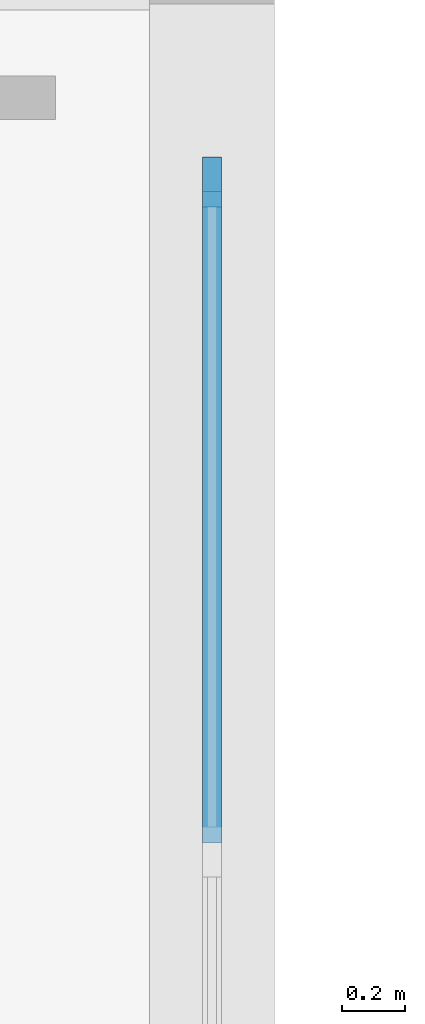
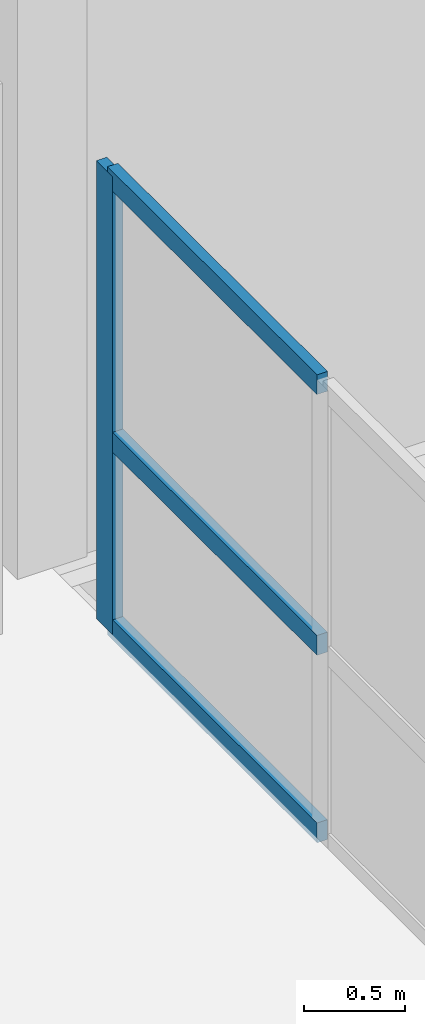
# One storey, part 16 of 51: 4 members, 1 element without a shape of its own.
"""IFC4 building model written with IfcOpenShell, lengths in metres."""

from ifc_helpers import new_model, si_unit, direction, frame, origin, origin_2d, place, context, subcontext, project, spatial, rectangle, extrude, material, material_profile, profile_set, type_object, element, aggregate, save


model = new_model("IFC4")

# Units and contexts
model_context = context("Model", 3, precision=1e-05, world=origin(), true_north=direction((0.0, 1.0)))
body_context = subcontext(model_context, "Body", "Model", "MODEL_VIEW")
ifc_project = project(units=[si_unit("LENGTHUNIT", "METRE"), si_unit("AREAUNIT", "SQUARE_METRE"), si_unit("VOLUMEUNIT", "CUBIC_METRE"), si_unit("PLANEANGLEUNIT", "RADIAN"), si_unit("MASSUNIT", "GRAM", prefix="KILO")], contexts=[model_context])

# Site, building, storey
site_placement = place(None, origin())
site = spatial("IfcSite", under=ifc_project, at=site_placement, CompositionType="ELEMENT")
building_placement = place(site_placement, origin())
building = spatial("IfcBuilding", under=site, at=building_placement, Name="Vharandega Faculty of Natural Sciences", CompositionType="ELEMENT")
storey_placement = place(building_placement, frame((0.0, 0.0, 18.0)))
storey = spatial("IfcBuildingStorey", under=building, at=storey_placement, Name="L04", CompositionType="ELEMENT", Elevation=18.0)

# Curtain wall, members
ifc_material_1 = material(Name="Aluminium and solar-control glass curtain wall", Category="aluminium")
curtain_wall_type = type_object("IfcCurtainWallType", Name="Unitised Curtain Wall System CW-11", PredefinedType="NOTDEFINED", material=ifc_material_1)
curtain_wall_placement = place(storey_placement, origin())
curtain_wall = element("IfcCurtainWall", 1, at=curtain_wall_placement, inside=storey, type_object=curtain_wall_type, Name="Curtain Wall CW-L04-178", PredefinedType="NOTDEFINED")
ifc_material_2 = material(Name="Thermally broken aluminium 6063-T6", Category="aluminium")
ifc_material_profile_1 = material_profile(ifc_material_2, rectangle(XDim=0.06005859375, YDim=0.159912109375, at=origin_2d()), Name="ALU 60x160")
ifc_profile_set_1 = profile_set([ifc_material_profile_1], Name="Thermally broken aluminium 6063-T6")
member_type_1 = type_object("IfcMemberType", Name="CW Mullion 60x160", PredefinedType="MULLION", material=ifc_profile_set_1)
member_1_placement = place(storey_placement, frame((48.0, 63.22998046875, 0.0), z_axis=(0.0, 0.0, 1.0), x_axis=(-1.0, 0.0, 0.0)))
member_1 = element("IfcMember", 2, at=member_1_placement, type_object=member_type_1, Name="CW-11 mullion 4", PredefinedType="MULLION", context=body_context, shape_type="SweptSolid", body=[
    extrude(rectangle(XDim=0.06005859375, YDim=0.159912109375, at=origin_2d()), origin(), (0.0, 0.0, 1.0), 2.780029296875),
])
ifc_material_3 = material(Name="Thermally broken aluminium 6063-T6", Category="aluminium")
ifc_material_profile_2 = material_profile(ifc_material_3, rectangle(XDim=0.06005859375, YDim=0.1201171875, at=origin_2d()), Name="ALU 60x120")
ifc_profile_set_2 = profile_set([ifc_material_profile_2], Name="Thermally broken aluminium 6063-T6")
member_type_2 = type_object("IfcMemberType", Name="CW Transom 60x120", PredefinedType="USERDEFINED", material=ifc_profile_set_2)
member_2_placement = place(storey_placement, frame((48.0, 61.11669921875, 0.030029296875), z_axis=(0.0, 1.0, 0.0), x_axis=(-1.0, 0.0, 0.0)))
member_2 = element("IfcMember", 3, at=member_2_placement, type_object=member_type_2, Name="CW-11 transom 3.1", ObjectType="TRANSOM", PredefinedType="USERDEFINED", context=body_context, shape_type="SweptSolid", body=[
    extrude(rectangle(XDim=0.06005859375, YDim=0.1201171875, at=origin_2d()), origin(), (0.0, 0.0, 1.0), 2.083251953125),
])
member_3_placement = place(storey_placement, frame((48.0, 61.11669921875, 1.16748046875), z_axis=(0.0, 1.0, 0.0), x_axis=(-1.0, 0.0, 0.0)))
member_3 = element("IfcMember", 4, at=member_3_placement, type_object=member_type_2, Name="CW-11 transom 3.2", ObjectType="TRANSOM", PredefinedType="USERDEFINED", context=body_context, shape_type="SweptSolid", body=[
    extrude(rectangle(XDim=0.06005859375, YDim=0.1201171875, at=origin_2d()), origin(), (0.0, 0.0, 1.0), 2.083251953125),
])
member_4_placement = place(storey_placement, frame((48.0, 61.11669921875, 2.75), z_axis=(0.0, 1.0, 0.0), x_axis=(-1.0, 0.0, 0.0)))
member_4 = element("IfcMember", 5, at=member_4_placement, type_object=member_type_2, Name="CW-11 transom 3.3", ObjectType="TRANSOM", PredefinedType="USERDEFINED", context=body_context, shape_type="SweptSolid", body=[
    extrude(rectangle(XDim=0.06005859375, YDim=0.1201171875, at=origin_2d()), origin(), (0.0, 0.0, 1.0), 2.083251953125),
])
aggregate(curtain_wall, [member_1, member_2, member_3, member_4])

save(model, "model.ifc")
